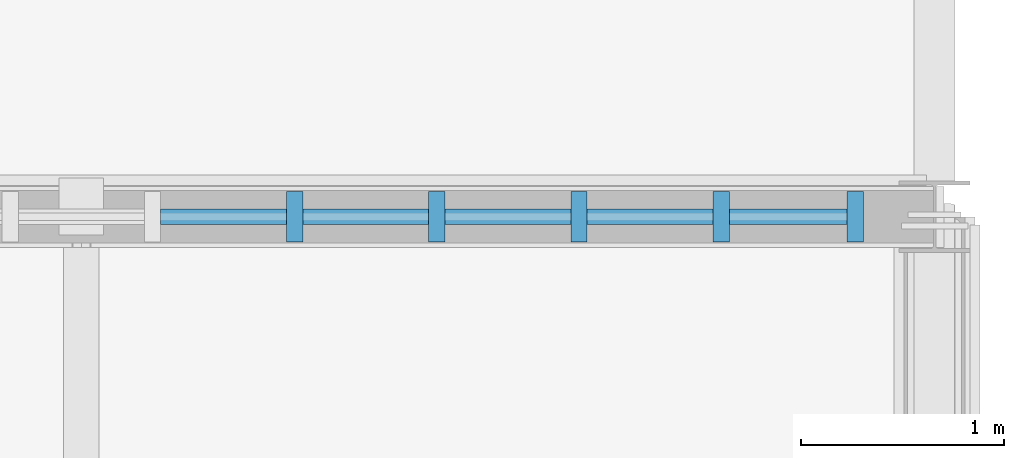
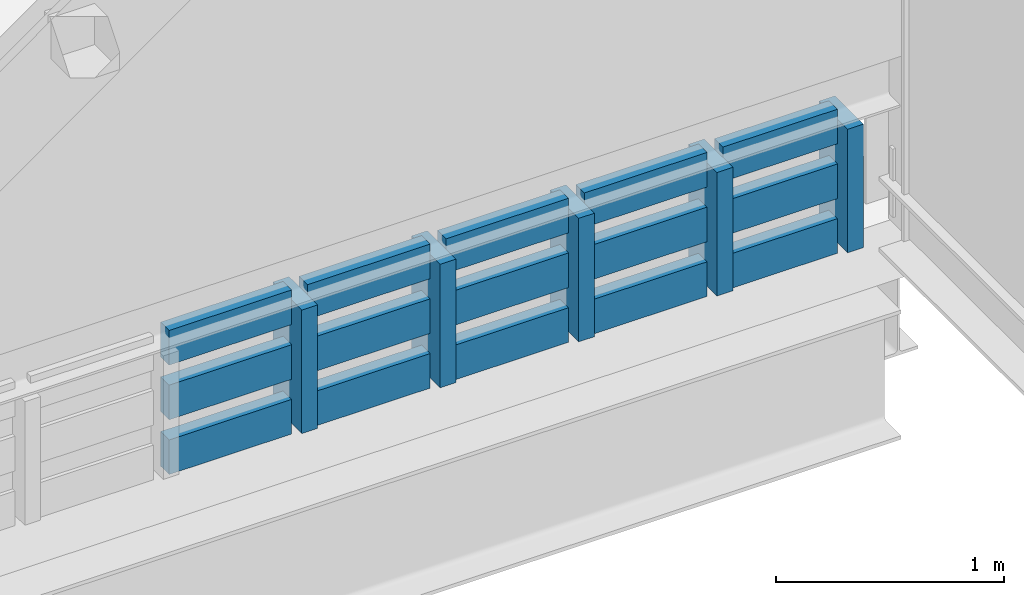
# One storey, part 50 of 77: 20 members, 1 element without a shape of its own.
"""IFC4 building model written with IfcOpenShell, lengths in metres."""

import ifcopenshell
import ifcopenshell.guid

model = None  # the IFC model being written
_history = None  # IfcOwnerHistory: only IFC2X3 demands one
_inside = {}  # id of a spatial element -> (the spatial element, [elements in it])
_under = {}  # id of a project, library or spatial element -> (it, [spatial elements below it])
_declared = {}  # id of a project -> (the project, [libraries it declares])
_typed = {}  # id of a type object -> (the type object, [elements of that type])
_made_of = {}  # id of a material, layer set ... -> (it, [elements and type objects made of it])


def new_model(schema):
    """Start an empty IFC model of exactly this schema.

    Asked for "IFC4X3", IfcOpenShell would pick the latest addendum, in which some entities
    have other attributes; the version numbers below select the first issue.
    IFC2X3 requires an IfcOwnerHistory on every rooted entity: one is made here for all.
    """
    global model, _history
    if schema == "IFC4X3":
        model = ifcopenshell.file(schema_version=(4, 3, 0, 0))
    else:
        model = ifcopenshell.file(schema=schema)
    _inside.clear()
    _under.clear()
    _declared.clear()
    _typed.clear()
    _made_of.clear()
    _history = None
    if model.schema == "IFC2X3":
        org = make("IfcOrganization", Name="unknown")
        user = make(
            "IfcPersonAndOrganization",
            ThePerson=make("IfcPerson", FamilyName="unknown"),
            TheOrganization=org,
        )
        app = make(
            "IfcApplication",
            ApplicationDeveloper=org,
            Version="unknown",
            ApplicationFullName="unknown",
            ApplicationIdentifier="unknown",
        )
        _history = make(
            "IfcOwnerHistory",
            OwningUser=user,
            OwningApplication=app,
            ChangeAction="ADDED",
            CreationDate=0,
        )
    return model


def make(cls, **values):
    """One entity of the class cls with the attributes given. An attribute that is None is left unset."""
    return model.create_entity(
        cls, **{name: value for name, value in values.items() if value is not None}
    )


def rooted(cls, **values):
    """An entity with a GlobalId (a new one), such as an element, a storey or a relation."""
    return make(cls, GlobalId=ifcopenshell.guid.new(), OwnerHistory=_history, **values)


def si_unit(unit_type, name, prefix=None):
    """IfcSIUnit, for example si_unit("LENGTHUNIT", "METRE", prefix="MILLI")."""
    return make("IfcSIUnit", UnitType=unit_type, Prefix=prefix, Name=name)


def assignment(units):
    """IfcUnitAssignment: the units of a project."""
    return None if units is None else make("IfcUnitAssignment", Units=units)


def point(xyz):
    """IfcCartesianPoint."""
    return None if xyz is None else make("IfcCartesianPoint", Coordinates=xyz)


def direction(xyz):
    """IfcDirection."""
    return None if xyz is None else make("IfcDirection", DirectionRatios=xyz)


def frame(location, z_axis=None, x_axis=None):
    """IfcAxis2Placement3D, a coordinate frame: its origin and axes. An axis left out is left unset."""
    return make(
        "IfcAxis2Placement3D",
        Location=point(location),
        Axis=direction(z_axis),
        RefDirection=direction(x_axis),
    )


def frame_2d(location, x_axis=None):
    """IfcAxis2Placement2D, a coordinate frame in the plane: its origin and x axis."""
    return make(
        "IfcAxis2Placement2D", Location=point(location), RefDirection=direction(x_axis)
    )


def origin():
    """The frame at (0, 0, 0) with its axes left unset."""
    return frame((0.0, 0.0, 0.0))


def origin_2d():
    """The frame at (0, 0) in the plane with its x axis left unset."""
    return frame_2d((0.0, 0.0))


def place(relative_to, where):
    """IfcLocalPlacement: puts the frame where relative to a parent placement (None: the world)."""
    return make(
        "IfcLocalPlacement", PlacementRelTo=relative_to, RelativePlacement=where
    )


def context(
    kind, dimensions, precision=None, world=None, true_north=None, identifier=None
):
    """IfcGeometricRepresentationContext, for example the 3D "Model" context."""
    return make(
        "IfcGeometricRepresentationContext",
        ContextIdentifier=identifier,
        ContextType=kind,
        CoordinateSpaceDimension=dimensions,
        Precision=precision,
        WorldCoordinateSystem=world,
        TrueNorth=true_north,
    )


def subcontext(parent, identifier, kind, view, scale=None):
    """IfcGeometricRepresentationSubContext, for example "Body" below "Model"."""
    return make(
        "IfcGeometricRepresentationSubContext",
        ContextIdentifier=identifier,
        ContextType=kind,
        ParentContext=parent,
        TargetScale=scale,
        TargetView=view,
    )


def project(units=None, contexts=None):
    """IfcProject with its units and contexts."""
    return rooted(
        "IfcProject",
        Name="project",
        RepresentationContexts=contexts,
        UnitsInContext=assignment(units),
    )


def spatial(cls, under=None, at=None, **own):
    """A site, building, storey or space (cls), placed at a placement, below another one or the project."""
    s = rooted(cls, ObjectPlacement=at, **own)
    if under is not None:
        _under.setdefault(under.id(), (under, []))[1].append(s)
    return s


def profile(cls, at=None, kind="AREA", **sizes):
    """A parametric profile (cls). Its sizes go by their IFC names, for example OverallWidth=200.0."""
    return make(cls, ProfileType=kind, Position=at, **sizes)


def rectangle(**sizes):
    """IfcRectangleProfileDef."""
    return profile("IfcRectangleProfileDef", **sizes)


def extrude(swept, where, along, depth):
    """IfcExtrudedAreaSolid: the profile swept, set in the frame where, extruded along a direction by depth."""
    return make(
        "IfcExtrudedAreaSolid",
        SweptArea=swept,
        Position=where,
        ExtrudedDirection=direction(along),
        Depth=depth,
    )


def shape(context_of_items, identifier, shape_type, items):
    """IfcShapeRepresentation: the items that make up one representation, for example the "Body"."""
    return make(
        "IfcShapeRepresentation",
        ContextOfItems=context_of_items,
        RepresentationIdentifier=identifier,
        RepresentationType=shape_type,
        Items=items,
    )


def material(Name=None, Category=None):
    """IfcMaterial."""
    return make("IfcMaterial", Name=Name, Category=Category)


def material_profile(
    of_material, cross_section, Name=None, Category=None, Priority=None
):
    """IfcMaterialProfile: a cross section and its material."""
    return make(
        "IfcMaterialProfile",
        Name=Name,
        Material=of_material,
        Profile=cross_section,
        Priority=Priority,
        Category=Category,
    )


def profile_set(profiles, Name=None, composite=None):
    """IfcMaterialProfileSet."""
    return make(
        "IfcMaterialProfileSet",
        Name=Name,
        MaterialProfiles=profiles,
        CompositeProfile=composite,
    )


def made_of(thing, what):
    """Note that an element or type object is made of a material, layer set ...; save() writes the relation."""
    if what is not None:
        _made_of.setdefault(what.id(), (what, []))[1].append(thing)
    return thing


def type_object(cls, material=None, **own):
    """A type object (cls), such as IfcWallType, which elements share."""
    return made_of(rooted(cls, **own), material)


def element(
    cls,
    number,
    at=None,
    inside=None,
    cuts=None,
    type_object=None,
    material=None,
    context=None,
    identifier="Body",
    shape_type=None,
    held_by="IfcProductDefinitionShape",
    body=None,
    shapes=None,
    **own,
):
    """One element of the class cls, such as IfcWall. Its Tag is "e" and its number.

    at: its placement. inside: the storey or other place that contains it. cuts: it is an
    opening in that element (IfcRelVoidsElement). A single representation is given by context,
    identifier, shape_type and body (its items); several are given by shapes. held_by: the class
    of the entity that holds the representations. save() writes the other relations.
    """
    e = rooted(cls, Tag="e%d" % number, ObjectPlacement=at, **own)
    if body is not None:
        shapes = [shape(context, identifier, shape_type, body)]
    if shapes is not None:
        e.Representation = make(held_by, Representations=shapes)
    if inside is not None:
        _inside.setdefault(inside.id(), (inside, []))[1].append(e)
    if cuts is not None:
        rooted(
            "IfcRelVoidsElement", RelatingBuildingElement=cuts, RelatedOpeningElement=e
        )
    if type_object is not None:
        _typed.setdefault(type_object.id(), (type_object, []))[1].append(e)
    return made_of(e, material)


def aggregate(whole, parts):
    """IfcRelAggregates: a whole, such as a stair, and the parts it consists of."""
    return rooted("IfcRelAggregates", RelatingObject=whole, RelatedObjects=parts)


def save(model, path):
    """Write the relations noted so far, then the file.

    IfcRelAggregates (storeys below a building ...), IfcRelContainedInSpatialStructure (elements
    in a storey), IfcRelDefinesByType, IfcRelAssociatesMaterial and IfcRelDeclares: one each for
    every whole, place, type object, material and project.
    """
    for whole, parts in _under.values():
        aggregate(whole, parts)
    for where, things in _inside.values():
        rooted(
            "IfcRelContainedInSpatialStructure",
            RelatedElements=things,
            RelatingStructure=where,
        )
    for kind, things in _typed.values():
        rooted("IfcRelDefinesByType", RelatedObjects=things, RelatingType=kind)
    for what, things in _made_of.values():
        rooted("IfcRelAssociatesMaterial", RelatedObjects=things, RelatingMaterial=what)
    for by, libraries in _declared.values():
        rooted("IfcRelDeclares", RelatingContext=by, RelatedDefinitions=libraries)
    model.write(path)


model = new_model("IFC4")

# Units and contexts
model_context = context("Model", 3, precision=1e-05, world=origin(), true_north=direction((0.0, 1.0)))
body_context = subcontext(model_context, "Body", "Model", "MODEL_VIEW")
ifc_project = project(units=[si_unit("LENGTHUNIT", "METRE"), si_unit("AREAUNIT", "SQUARE_METRE"), si_unit("VOLUMEUNIT", "CUBIC_METRE"), si_unit("PLANEANGLEUNIT", "RADIAN"), si_unit("MASSUNIT", "GRAM", prefix="KILO")], contexts=[model_context])

# Site, building, storey
site_placement = place(None, origin())
site = spatial("IfcSite", under=ifc_project, at=site_placement, CompositionType="ELEMENT")
building_placement = place(site_placement, origin())
building = spatial("IfcBuilding", under=site, at=building_placement, Name="Larkvane Passage Sports Hall", CompositionType="ELEMENT")
storey_placement = place(building_placement, frame((0.0, 0.0, 22.199951171875)))
storey = spatial("IfcBuildingStorey", under=building, at=storey_placement, Name="RF", CompositionType="ELEMENT", Elevation=22.199951171875)

# Curtain wall, members
ifc_material_1 = material(Name="Thermally broken aluminium and low-E glazing", Category="aluminium")
curtain_wall_type = type_object("IfcCurtainWallType", Name="CW-CLER-N", PredefinedType="USERDEFINED", material=ifc_material_1)
curtain_wall_placement = place(storey_placement, origin())
curtain_wall = element("IfcCurtainWall", 1, at=curtain_wall_placement, inside=storey, type_object=curtain_wall_type, Name="Curtain wall CW5-RF-CLER-7", ObjectType="STICK CURTAIN WALL", PredefinedType="USERDEFINED")
ifc_material_2 = material(Name="Anodised aluminium 6063-T6", Category="aluminium")
ifc_material_profile_1 = material_profile(ifc_material_2, rectangle(XDim=0.080078125, YDim=0.25, at=origin_2d()), Name="ALU-MUL-80x250")
ifc_profile_set_1 = profile_set([ifc_material_profile_1], Name="Anodised aluminium 6063-T6")
member_type_1 = type_object("IfcMemberType", Name="CW-MUL-80x250", PredefinedType="MULLION", material=ifc_profile_set_1)
member_1_placement = place(storey_placement, frame((93.2099609375, 75.60009765625, 0.0), z_axis=(0.0, 0.0, 1.0), x_axis=(-1.0, 0.0, 0.0)))
member_1 = element("IfcMember", 2, at=member_1_placement, type_object=member_type_1, Name="CW-04 mullion 1", PredefinedType="MULLION", context=body_context, shape_type="SweptSolid", body=[
    extrude(rectangle(XDim=0.080078125, YDim=0.25, at=origin_2d()), origin(), (0.0, 0.0, 1.0), 0.66015625),
])
member_2_placement = place(storey_placement, frame((92.550048828125, 75.60009765625, 0.0), z_axis=(0.0, 0.0, 1.0), x_axis=(-1.0, 0.0, 0.0)))
member_2 = element("IfcMember", 3, at=member_2_placement, type_object=member_type_1, Name="CW-04 mullion 2", PredefinedType="MULLION", context=body_context, shape_type="SweptSolid", body=[
    extrude(rectangle(XDim=0.080078125, YDim=0.25, at=origin_2d()), origin(), (0.0, 0.0, 1.0), 0.66015625),
])
member_3_placement = place(storey_placement, frame((91.85009765625, 75.60009765625, 0.0), z_axis=(0.0, 0.0, 1.0), x_axis=(-1.0, 0.0, 0.0)))
member_3 = element("IfcMember", 4, at=member_3_placement, type_object=member_type_1, Name="CW-04 mullion 3", PredefinedType="MULLION", context=body_context, shape_type="SweptSolid", body=[
    extrude(rectangle(XDim=0.080078125, YDim=0.25, at=origin_2d()), origin(), (0.0, 0.0, 1.0), 0.66015625),
])
member_4_placement = place(storey_placement, frame((91.14990234375, 75.60009765625, 0.0), z_axis=(0.0, 0.0, 1.0), x_axis=(-1.0, 0.0, 0.0)))
member_4 = element("IfcMember", 5, at=member_4_placement, type_object=member_type_1, Name="CW-04 mullion 4", PredefinedType="MULLION", context=body_context, shape_type="SweptSolid", body=[
    extrude(rectangle(XDim=0.080078125, YDim=0.25, at=origin_2d()), origin(), (0.0, 0.0, 1.0), 0.66015625),
])
member_5_placement = place(storey_placement, frame((90.449951171875, 75.60009765625, 0.0), z_axis=(0.0, 0.0, 1.0), x_axis=(-1.0, 0.0, 0.0)))
member_5 = element("IfcMember", 6, at=member_5_placement, type_object=member_type_1, Name="CW-04 mullion 5", PredefinedType="MULLION", context=body_context, shape_type="SweptSolid", body=[
    extrude(rectangle(XDim=0.080078125, YDim=0.25, at=origin_2d()), origin(), (0.0, 0.0, 1.0), 0.66015625),
])
ifc_material_profile_2 = material_profile(ifc_material_2, rectangle(XDim=0.074951171875, YDim=0.18505859375, at=origin_2d()), Name="ALU-TRN-75x185")
ifc_profile_set_2 = profile_set([ifc_material_profile_2], Name="Anodised aluminium 6063-T6")
member_type_2 = type_object("IfcMemberType", Name="CW-TRN-75x185", PredefinedType="USERDEFINED", material=ifc_profile_set_2)
member_6_placement = place(storey_placement, frame((93.169921875, 75.60009765625, 0.03759765625), z_axis=(-1.0, 0.0, 0.0), x_axis=(0.0, -1.0, 0.0)))
member_6 = element("IfcMember", 7, at=member_6_placement, type_object=member_type_2, Name="CW-04 transom 1.1", ObjectType="TRANSOM", PredefinedType="USERDEFINED", context=body_context, shape_type="SweptSolid", body=[
    extrude(rectangle(XDim=0.074951171875, YDim=0.18505859375, at=origin_2d()), origin(), (0.0, 0.0, 1.0), 0.579833984375),
])
member_7_placement = place(storey_placement, frame((93.169921875, 75.60009765625, 0.330078125), z_axis=(-1.0, 0.0, 0.0), x_axis=(0.0, -1.0, 0.0)))
member_7 = element("IfcMember", 8, at=member_7_placement, type_object=member_type_2, Name="CW-04 transom 1.2", ObjectType="TRANSOM", PredefinedType="USERDEFINED", context=body_context, shape_type="SweptSolid", body=[
    extrude(rectangle(XDim=0.074951171875, YDim=0.18505859375, at=origin_2d()), origin(), (0.0, 0.0, 1.0), 0.579833984375),
])
member_8_placement = place(storey_placement, frame((93.169921875, 75.60009765625, 0.62255859375), z_axis=(-1.0, 0.0, 0.0), x_axis=(0.0, -1.0, 0.0)))
member_8 = element("IfcMember", 9, at=member_8_placement, type_object=member_type_2, Name="CW-04 transom 1.3", ObjectType="TRANSOM", PredefinedType="USERDEFINED", context=body_context, shape_type="SweptSolid", body=[
    extrude(rectangle(XDim=0.074951171875, YDim=0.18505859375, at=origin_2d()), origin(), (0.0, 0.0, 1.0), 0.579833984375),
])
member_9_placement = place(storey_placement, frame((92.510009765625, 75.60009765625, 0.03759765625), z_axis=(-1.0, 0.0, 0.0), x_axis=(0.0, -1.0, 0.0)))
member_9 = element("IfcMember", 10, at=member_9_placement, type_object=member_type_2, Name="CW-04 transom 2.1", ObjectType="TRANSOM", PredefinedType="USERDEFINED", context=body_context, shape_type="SweptSolid", body=[
    extrude(rectangle(XDim=0.074951171875, YDim=0.18505859375, at=origin_2d()), origin(), (0.0, 0.0, 1.0), 0.6201171875),
])
member_10_placement = place(storey_placement, frame((92.510009765625, 75.60009765625, 0.330078125), z_axis=(-1.0, 0.0, 0.0), x_axis=(0.0, -1.0, 0.0)))
member_10 = element("IfcMember", 11, at=member_10_placement, type_object=member_type_2, Name="CW-04 transom 2.2", ObjectType="TRANSOM", PredefinedType="USERDEFINED", context=body_context, shape_type="SweptSolid", body=[
    extrude(rectangle(XDim=0.074951171875, YDim=0.18505859375, at=origin_2d()), origin(), (0.0, 0.0, 1.0), 0.6201171875),
])
member_11_placement = place(storey_placement, frame((92.510009765625, 75.60009765625, 0.62255859375), z_axis=(-1.0, 0.0, 0.0), x_axis=(0.0, -1.0, 0.0)))
member_11 = element("IfcMember", 12, at=member_11_placement, type_object=member_type_2, Name="CW-04 transom 2.3", ObjectType="TRANSOM", PredefinedType="USERDEFINED", context=body_context, shape_type="SweptSolid", body=[
    extrude(rectangle(XDim=0.074951171875, YDim=0.18505859375, at=origin_2d()), origin(), (0.0, 0.0, 1.0), 0.6201171875),
])
member_12_placement = place(storey_placement, frame((91.81005859375, 75.60009765625, 0.03759765625), z_axis=(-1.0, 0.0, 0.0), x_axis=(0.0, -1.0, 0.0)))
member_12 = element("IfcMember", 13, at=member_12_placement, type_object=member_type_2, Name="CW-04 transom 3.1", ObjectType="TRANSOM", PredefinedType="USERDEFINED", context=body_context, shape_type="SweptSolid", body=[
    extrude(rectangle(XDim=0.074951171875, YDim=0.18505859375, at=origin_2d()), origin(), (0.0, 0.0, 1.0), 0.6201171875),
])
member_13_placement = place(storey_placement, frame((91.81005859375, 75.60009765625, 0.330078125), z_axis=(-1.0, 0.0, 0.0), x_axis=(0.0, -1.0, 0.0)))
member_13 = element("IfcMember", 14, at=member_13_placement, type_object=member_type_2, Name="CW-04 transom 3.2", ObjectType="TRANSOM", PredefinedType="USERDEFINED", context=body_context, shape_type="SweptSolid", body=[
    extrude(rectangle(XDim=0.074951171875, YDim=0.18505859375, at=origin_2d()), origin(), (0.0, 0.0, 1.0), 0.6201171875),
])
member_14_placement = place(storey_placement, frame((91.81005859375, 75.60009765625, 0.62255859375), z_axis=(-1.0, 0.0, 0.0), x_axis=(0.0, -1.0, 0.0)))
member_14 = element("IfcMember", 15, at=member_14_placement, type_object=member_type_2, Name="CW-04 transom 3.3", ObjectType="TRANSOM", PredefinedType="USERDEFINED", context=body_context, shape_type="SweptSolid", body=[
    extrude(rectangle(XDim=0.074951171875, YDim=0.18505859375, at=origin_2d()), origin(), (0.0, 0.0, 1.0), 0.6201171875),
])
member_15_placement = place(storey_placement, frame((91.110107421875, 75.60009765625, 0.03759765625), z_axis=(-1.0, 0.0, 0.0), x_axis=(0.0, -1.0, 0.0)))
member_15 = element("IfcMember", 16, at=member_15_placement, type_object=member_type_2, Name="CW-04 transom 4.1", ObjectType="TRANSOM", PredefinedType="USERDEFINED", context=body_context, shape_type="SweptSolid", body=[
    extrude(rectangle(XDim=0.074951171875, YDim=0.18505859375, at=origin_2d()), origin(), (0.0, 0.0, 1.0), 0.6201171875),
])
member_16_placement = place(storey_placement, frame((91.110107421875, 75.60009765625, 0.330078125), z_axis=(-1.0, 0.0, 0.0), x_axis=(0.0, -1.0, 0.0)))
member_16 = element("IfcMember", 17, at=member_16_placement, type_object=member_type_2, Name="CW-04 transom 4.2", ObjectType="TRANSOM", PredefinedType="USERDEFINED", context=body_context, shape_type="SweptSolid", body=[
    extrude(rectangle(XDim=0.074951171875, YDim=0.18505859375, at=origin_2d()), origin(), (0.0, 0.0, 1.0), 0.6201171875),
])
member_17_placement = place(storey_placement, frame((91.110107421875, 75.60009765625, 0.62255859375), z_axis=(-1.0, 0.0, 0.0), x_axis=(0.0, -1.0, 0.0)))
member_17 = element("IfcMember", 18, at=member_17_placement, type_object=member_type_2, Name="CW-04 transom 4.3", ObjectType="TRANSOM", PredefinedType="USERDEFINED", context=body_context, shape_type="SweptSolid", body=[
    extrude(rectangle(XDim=0.074951171875, YDim=0.18505859375, at=origin_2d()), origin(), (0.0, 0.0, 1.0), 0.6201171875),
])
member_18_placement = place(storey_placement, frame((90.409912109375, 75.60009765625, 0.03759765625), z_axis=(-1.0, 0.0, 0.0), x_axis=(0.0, -1.0, 0.0)))
member_18 = element("IfcMember", 19, at=member_18_placement, type_object=member_type_2, Name="CW-04 transom 5.1", ObjectType="TRANSOM", PredefinedType="USERDEFINED", context=body_context, shape_type="SweptSolid", body=[
    extrude(rectangle(XDim=0.074951171875, YDim=0.18505859375, at=origin_2d()), origin(), (0.0, 0.0, 1.0), 0.619873046875),
])
member_19_placement = place(storey_placement, frame((90.409912109375, 75.60009765625, 0.330078125), z_axis=(-1.0, 0.0, 0.0), x_axis=(0.0, -1.0, 0.0)))
member_19 = element("IfcMember", 20, at=member_19_placement, type_object=member_type_2, Name="CW-04 transom 5.2", ObjectType="TRANSOM", PredefinedType="USERDEFINED", context=body_context, shape_type="SweptSolid", body=[
    extrude(rectangle(XDim=0.074951171875, YDim=0.18505859375, at=origin_2d()), origin(), (0.0, 0.0, 1.0), 0.619873046875),
])
member_20_placement = place(storey_placement, frame((90.409912109375, 75.60009765625, 0.62255859375), z_axis=(-1.0, 0.0, 0.0), x_axis=(0.0, -1.0, 0.0)))
member_20 = element("IfcMember", 21, at=member_20_placement, type_object=member_type_2, Name="CW-04 transom 5.3", ObjectType="TRANSOM", PredefinedType="USERDEFINED", context=body_context, shape_type="SweptSolid", body=[
    extrude(rectangle(XDim=0.074951171875, YDim=0.18505859375, at=origin_2d()), origin(), (0.0, 0.0, 1.0), 0.619873046875),
])
aggregate(curtain_wall, [member_1, member_2, member_3, member_4, member_5, member_6, member_7, member_8, member_9, member_10, member_11, member_12, member_13, member_14, member_15, member_16, member_17, member_18, member_19, member_20])

save(model, "model.ifc")
